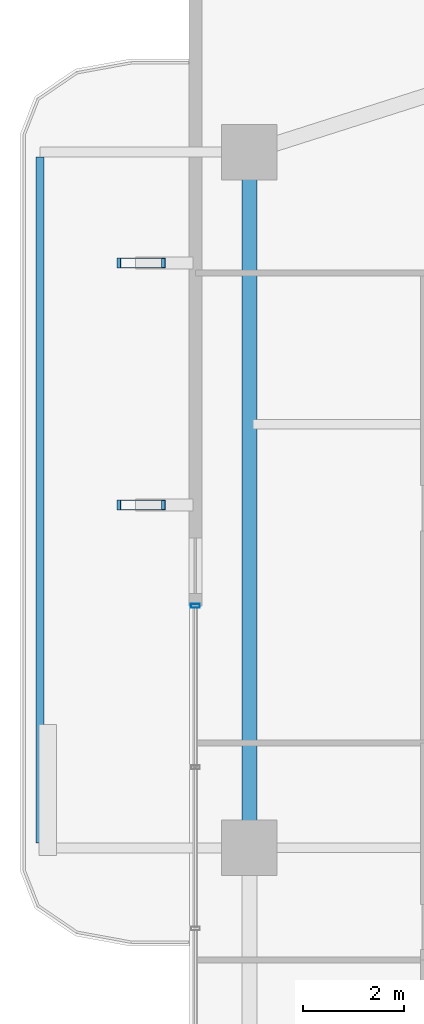
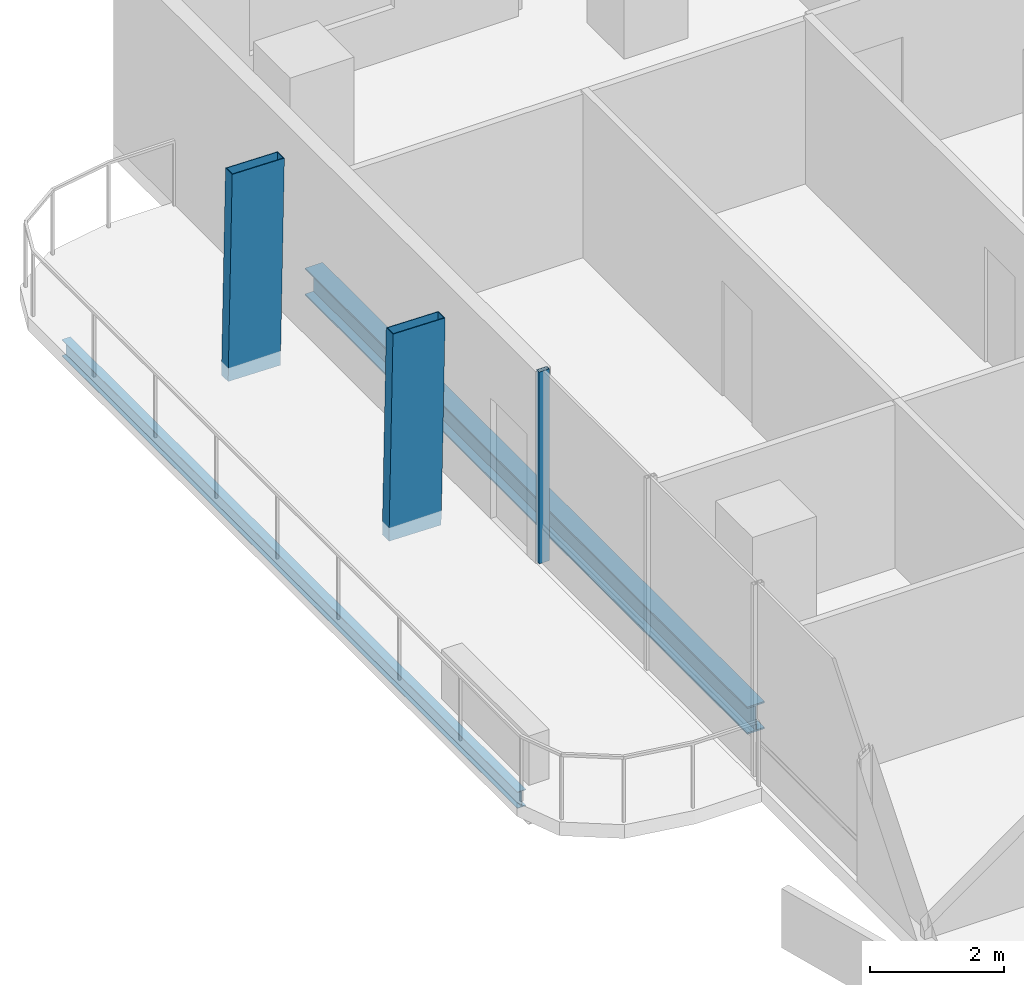
# One storey, part 12 of 25: 3 members, 2 beams, 1 element without a shape of its own.
"""IFC4 building model written with IfcOpenShell, lengths in metres."""

import ifcopenshell
import ifcopenshell.guid

model = None  # the IFC model being written
_history = None  # IfcOwnerHistory: only IFC2X3 demands one
_inside = {}  # id of a spatial element -> (the spatial element, [elements in it])
_under = {}  # id of a project, library or spatial element -> (it, [spatial elements below it])
_declared = {}  # id of a project -> (the project, [libraries it declares])
_typed = {}  # id of a type object -> (the type object, [elements of that type])
_made_of = {}  # id of a material, layer set ... -> (it, [elements and type objects made of it])


def new_model(schema):
    """Start an empty IFC model of exactly this schema.

    Asked for "IFC4X3", IfcOpenShell would pick the latest addendum, in which some entities
    have other attributes; the version numbers below select the first issue.
    IFC2X3 requires an IfcOwnerHistory on every rooted entity: one is made here for all.
    """
    global model, _history
    if schema == "IFC4X3":
        model = ifcopenshell.file(schema_version=(4, 3, 0, 0))
    else:
        model = ifcopenshell.file(schema=schema)
    _inside.clear()
    _under.clear()
    _declared.clear()
    _typed.clear()
    _made_of.clear()
    _history = None
    if model.schema == "IFC2X3":
        org = make("IfcOrganization", Name="unknown")
        user = make(
            "IfcPersonAndOrganization",
            ThePerson=make("IfcPerson", FamilyName="unknown"),
            TheOrganization=org,
        )
        app = make(
            "IfcApplication",
            ApplicationDeveloper=org,
            Version="unknown",
            ApplicationFullName="unknown",
            ApplicationIdentifier="unknown",
        )
        _history = make(
            "IfcOwnerHistory",
            OwningUser=user,
            OwningApplication=app,
            ChangeAction="ADDED",
            CreationDate=0,
        )
    return model


def make(cls, **values):
    """One entity of the class cls with the attributes given. An attribute that is None is left unset."""
    return model.create_entity(
        cls, **{name: value for name, value in values.items() if value is not None}
    )


def rooted(cls, **values):
    """An entity with a GlobalId (a new one), such as an element, a storey or a relation."""
    return make(cls, GlobalId=ifcopenshell.guid.new(), OwnerHistory=_history, **values)


def si_unit(unit_type, name, prefix=None):
    """IfcSIUnit, for example si_unit("LENGTHUNIT", "METRE", prefix="MILLI")."""
    return make("IfcSIUnit", UnitType=unit_type, Prefix=prefix, Name=name)


def assignment(units):
    """IfcUnitAssignment: the units of a project."""
    return None if units is None else make("IfcUnitAssignment", Units=units)


def point(xyz):
    """IfcCartesianPoint."""
    return None if xyz is None else make("IfcCartesianPoint", Coordinates=xyz)


def direction(xyz):
    """IfcDirection."""
    return None if xyz is None else make("IfcDirection", DirectionRatios=xyz)


def frame(location, z_axis=None, x_axis=None):
    """IfcAxis2Placement3D, a coordinate frame: its origin and axes. An axis left out is left unset."""
    return make(
        "IfcAxis2Placement3D",
        Location=point(location),
        Axis=direction(z_axis),
        RefDirection=direction(x_axis),
    )


def frame_2d(location, x_axis=None):
    """IfcAxis2Placement2D, a coordinate frame in the plane: its origin and x axis."""
    return make(
        "IfcAxis2Placement2D", Location=point(location), RefDirection=direction(x_axis)
    )


def origin():
    """The frame at (0, 0, 0) with its axes left unset."""
    return frame((0.0, 0.0, 0.0))


def origin_2d():
    """The frame at (0, 0) in the plane with its x axis left unset."""
    return frame_2d((0.0, 0.0))


def place(relative_to, where):
    """IfcLocalPlacement: puts the frame where relative to a parent placement (None: the world)."""
    return make(
        "IfcLocalPlacement", PlacementRelTo=relative_to, RelativePlacement=where
    )


def context(
    kind, dimensions, precision=None, world=None, true_north=None, identifier=None
):
    """IfcGeometricRepresentationContext, for example the 3D "Model" context."""
    return make(
        "IfcGeometricRepresentationContext",
        ContextIdentifier=identifier,
        ContextType=kind,
        CoordinateSpaceDimension=dimensions,
        Precision=precision,
        WorldCoordinateSystem=world,
        TrueNorth=true_north,
    )


def subcontext(parent, identifier, kind, view, scale=None):
    """IfcGeometricRepresentationSubContext, for example "Body" below "Model"."""
    return make(
        "IfcGeometricRepresentationSubContext",
        ContextIdentifier=identifier,
        ContextType=kind,
        ParentContext=parent,
        TargetScale=scale,
        TargetView=view,
    )


def project(units=None, contexts=None):
    """IfcProject with its units and contexts."""
    return rooted(
        "IfcProject",
        Name="project",
        RepresentationContexts=contexts,
        UnitsInContext=assignment(units),
    )


def spatial(cls, under=None, at=None, **own):
    """A site, building, storey or space (cls), placed at a placement, below another one or the project."""
    s = rooted(cls, ObjectPlacement=at, **own)
    if under is not None:
        _under.setdefault(under.id(), (under, []))[1].append(s)
    return s


def profile(cls, at=None, kind="AREA", **sizes):
    """A parametric profile (cls). Its sizes go by their IFC names, for example OverallWidth=200.0."""
    return make(cls, ProfileType=kind, Position=at, **sizes)


def hollow_rectangle(**sizes):
    """IfcRectangleHollowProfileDef."""
    return profile("IfcRectangleHollowProfileDef", **sizes)


def i_section(**sizes):
    """IfcIShapeProfileDef."""
    return profile("IfcIShapeProfileDef", **sizes)


def extrude(swept, where, along, depth):
    """IfcExtrudedAreaSolid: the profile swept, set in the frame where, extruded along a direction by depth."""
    return make(
        "IfcExtrudedAreaSolid",
        SweptArea=swept,
        Position=where,
        ExtrudedDirection=direction(along),
        Depth=depth,
    )


def shape(context_of_items, identifier, shape_type, items):
    """IfcShapeRepresentation: the items that make up one representation, for example the "Body"."""
    return make(
        "IfcShapeRepresentation",
        ContextOfItems=context_of_items,
        RepresentationIdentifier=identifier,
        RepresentationType=shape_type,
        Items=items,
    )


def material(Name=None, Category=None):
    """IfcMaterial."""
    return make("IfcMaterial", Name=Name, Category=Category)


def layer(
    of_material, thickness, ventilated=None, Name=None, Category=None, Priority=None
):
    """IfcMaterialLayer: one layer of a wall or slab, of a material (None: an air gap)."""
    return make(
        "IfcMaterialLayer",
        Material=of_material,
        LayerThickness=thickness,
        IsVentilated=ventilated,
        Name=Name,
        Category=Category,
        Priority=Priority,
    )


def layer_set(layers, Name=None):
    """IfcMaterialLayerSet."""
    return make("IfcMaterialLayerSet", MaterialLayers=layers, LayerSetName=Name)


def material_profile(
    of_material, cross_section, Name=None, Category=None, Priority=None
):
    """IfcMaterialProfile: a cross section and its material."""
    return make(
        "IfcMaterialProfile",
        Name=Name,
        Material=of_material,
        Profile=cross_section,
        Priority=Priority,
        Category=Category,
    )


def profile_set(profiles, Name=None, composite=None):
    """IfcMaterialProfileSet."""
    return make(
        "IfcMaterialProfileSet",
        Name=Name,
        MaterialProfiles=profiles,
        CompositeProfile=composite,
    )


def made_of(thing, what):
    """Note that an element or type object is made of a material, layer set ...; save() writes the relation."""
    if what is not None:
        _made_of.setdefault(what.id(), (what, []))[1].append(thing)
    return thing


def type_object(cls, material=None, **own):
    """A type object (cls), such as IfcWallType, which elements share."""
    return made_of(rooted(cls, **own), material)


def element(
    cls,
    number,
    at=None,
    inside=None,
    cuts=None,
    type_object=None,
    material=None,
    context=None,
    identifier="Body",
    shape_type=None,
    held_by="IfcProductDefinitionShape",
    body=None,
    shapes=None,
    **own,
):
    """One element of the class cls, such as IfcWall. Its Tag is "e" and its number.

    at: its placement. inside: the storey or other place that contains it. cuts: it is an
    opening in that element (IfcRelVoidsElement). A single representation is given by context,
    identifier, shape_type and body (its items); several are given by shapes. held_by: the class
    of the entity that holds the representations. save() writes the other relations.
    """
    e = rooted(cls, Tag="e%d" % number, ObjectPlacement=at, **own)
    if body is not None:
        shapes = [shape(context, identifier, shape_type, body)]
    if shapes is not None:
        e.Representation = make(held_by, Representations=shapes)
    if inside is not None:
        _inside.setdefault(inside.id(), (inside, []))[1].append(e)
    if cuts is not None:
        rooted(
            "IfcRelVoidsElement", RelatingBuildingElement=cuts, RelatedOpeningElement=e
        )
    if type_object is not None:
        _typed.setdefault(type_object.id(), (type_object, []))[1].append(e)
    return made_of(e, material)


def aggregate(whole, parts):
    """IfcRelAggregates: a whole, such as a stair, and the parts it consists of."""
    return rooted("IfcRelAggregates", RelatingObject=whole, RelatedObjects=parts)


def save(model, path):
    """Write the relations noted so far, then the file.

    IfcRelAggregates (storeys below a building ...), IfcRelContainedInSpatialStructure (elements
    in a storey), IfcRelDefinesByType, IfcRelAssociatesMaterial and IfcRelDeclares: one each for
    every whole, place, type object, material and project.
    """
    for whole, parts in _under.values():
        aggregate(whole, parts)
    for where, things in _inside.values():
        rooted(
            "IfcRelContainedInSpatialStructure",
            RelatedElements=things,
            RelatingStructure=where,
        )
    for kind, things in _typed.values():
        rooted("IfcRelDefinesByType", RelatedObjects=things, RelatingType=kind)
    for what, things in _made_of.values():
        rooted("IfcRelAssociatesMaterial", RelatedObjects=things, RelatingMaterial=what)
    for by, libraries in _declared.values():
        rooted("IfcRelDeclares", RelatingContext=by, RelatedDefinitions=libraries)
    model.write(path)


model = new_model("IFC4")

# Units and contexts
model_context = context("Model", 3, precision=1e-05, world=origin(), true_north=direction((0.0, 1.0)))
body_context = subcontext(model_context, "Body", "Model", "MODEL_VIEW")
ifc_project = project(units=[si_unit("LENGTHUNIT", "METRE"), si_unit("AREAUNIT", "SQUARE_METRE"), si_unit("VOLUMEUNIT", "CUBIC_METRE"), si_unit("PLANEANGLEUNIT", "RADIAN"), si_unit("MASSUNIT", "GRAM", prefix="KILO")], contexts=[model_context])

# Site, building, storey
site_placement = place(None, origin())
site = spatial("IfcSite", under=ifc_project, at=site_placement, CompositionType="ELEMENT")
building_placement = place(site_placement, origin())
building = spatial("IfcBuilding", under=site, at=building_placement, Name="Belovzor Exchange Tower", CompositionType="ELEMENT")
storey_placement = place(building_placement, frame((0.0, 0.0, 172.050048828125)))
storey = spatial("IfcBuildingStorey", under=building, at=storey_placement, Name="L42", CompositionType="ELEMENT", Elevation=172.050048828125)

# Beam
ifc_material_1 = material(Name="Steel S355", Category="steel")
ifc_material_profile_1 = material_profile(ifc_material_1, i_section(OverallWidth=0.14990234375, OverallDepth=0.300048828125, WebThickness=0.007080078125, FlangeThickness=0.0107421875, at=origin_2d()))
ifc_profile_set_1 = profile_set([ifc_material_profile_1], Name="Steel S355")
beam_type_1 = type_object("IfcBeamType", Name="Planted Balcony Fascia Edge Beam IPE 300", PredefinedType="BEAM", material=ifc_profile_set_1)
beam_1_placement = place(storey_placement, frame((1.547119140625, 42.5, -0.405029296875), z_axis=(0.0, -1.0, 0.0), x_axis=(1.0, 0.0, 0.0)))
element("IfcBeam", 1, at=beam_1_placement, inside=storey, type_object=beam_type_1, Name="BC-300 Planted Balcony Fascia Edge Beam IPE 300", PredefinedType="BEAM", context=body_context, shape_type="SweptSolid", body=[
    extrude(i_section(OverallWidth=0.14990234375, OverallDepth=0.300048828125, WebThickness=0.007080078125, FlangeThickness=0.0107421875, at=origin_2d()), origin(), (0.0, 0.0, 1.0), 13.60009765625),
])

# Members
ifc_material_2 = material(Name="Extruded Architectural Terracotta on Steel S355 Carrier", Category="masonry")
ifc_material_profile_2 = material_profile(ifc_material_2, hollow_rectangle(XDim=0.199951171875, YDim=0.89990234375, WallThickness=0.011962890625, at=origin_2d()))
ifc_profile_set_2 = profile_set([ifc_material_profile_2], Name="Extruded Architectural Terracotta on Steel S355 Carrier")
member_type_1 = type_object("IfcMemberType", Name="Sweeping Terracotta Baguette Fin Assembly 1250", PredefinedType="USERDEFINED", material=ifc_profile_set_2)
for number, where, z_axis, x_axis, name in (
    (2, (3.51904296875, 35.60009765625, -0.255126953125), (0.018681635002, 0.0, 0.999825483029), (0.0, 1.0, 0.0), "FIN-TC125 Terracotta Facade Fin L42 W3"),
    (3, (3.51904296875, 40.39990234375, -0.255126953125), (0.018681635002, 0.0, 0.999825483029), (0.0, 1.0, 0.0), "FIN-TC125 Terracotta Facade Fin L42 W4"),
):
    element("IfcMember", number, at=place(storey_placement, frame(where, z_axis=z_axis, x_axis=x_axis)), inside=storey, type_object=member_type_1, Name=name, ObjectType="FIN", PredefinedType="USERDEFINED", context=body_context, shape_type="SweptSolid", body=[
        extrude(hollow_rectangle(XDim=0.199951171875, YDim=0.89990234375, WallThickness=0.011962890625, at=origin_2d()), origin(), (0.0, 0.0, 1.0), 3.750732421875),
    ])

# Curtain wall, member
ifc_material_3 = material(Name="Anodised Aluminium Framing", Category="aluminium")
ifc_layer = layer(ifc_material_3, 0.179931640625)
ifc_layer_set = layer_set([ifc_layer], Name="Anodised Aluminium Framing")
curtain_wall_type = type_object("IfcCurtainWallType", Name="Recessed Loggia Low-Iron Triple-Glazed Curtain Wall", PredefinedType="NOTDEFINED", material=ifc_layer_set)
curtain_wall_placement = place(storey_placement, origin())
curtain_wall = element("IfcCurtainWall", 4, at=curtain_wall_placement, inside=storey, type_object=curtain_wall_type, Name="CW3 Recessed Loggia Low-Iron Triple-Glazed Curtain Wall L42", PredefinedType="NOTDEFINED")
ifc_material_4 = material(Name="Steel S355", Category="steel")
ifc_material_profile_3 = material_profile(ifc_material_4, hollow_rectangle(XDim=0.074951171875, YDim=0.179931640625, WallThickness=0.0048828125, at=origin_2d()))
ifc_profile_set_3 = profile_set([ifc_material_profile_3], Name="Steel S355")
member_type_2 = type_object("IfcMemberType", Name="Thermally Broken Curtain Wall Mullion 180x75", PredefinedType="MULLION", material=ifc_profile_set_3)
member_placement = place(storey_placement, frame((4.6298828125, 33.60009765625, 0.0), z_axis=(0.0, 0.0, 1.0), x_axis=(0.0, 1.0, 0.0)))
member = element("IfcMember", 5, at=member_placement, type_object=member_type_2, Name="CW-M180 Curtain Wall Mullion 4", PredefinedType="MULLION", context=body_context, shape_type="SweptSolid", body=[
    extrude(hollow_rectangle(XDim=0.074951171875, YDim=0.179931640625, WallThickness=0.0048828125, at=origin_2d()), origin(), (0.0, 0.0, 1.0), 3.494873046875),
])
aggregate(curtain_wall, [member])

# Beam
ifc_material_5 = material(Name="Steel S355", Category="steel")
ifc_material_profile_4 = material_profile(ifc_material_5, i_section(OverallWidth=0.300048828125, OverallDepth=0.5, WebThickness=0.014404296875, FlangeThickness=0.028076171875, at=origin_2d()))
ifc_profile_set_4 = profile_set([ifc_material_profile_4], Name="Steel S355")
beam_type_2 = type_object("IfcBeamType", Name="Zone 3 Waist Primary Girder HEB 500", PredefinedType="BEAM", material=ifc_profile_set_4)
beam_2_placement = place(storey_placement, frame((5.699951171875, 42.297119140625, -0.505126953125), z_axis=(0.0, -1.0, 0.0), x_axis=(1.0, 0.0, 0.0)))
element("IfcBeam", 6, at=beam_2_placement, inside=storey, type_object=beam_type_2, Name="FG-Z3 Zone 3 Waist Primary Girder HEB 500", PredefinedType="BEAM", context=body_context, shape_type="SweptSolid", body=[
    extrude(i_section(OverallWidth=0.300048828125, OverallDepth=0.5, WebThickness=0.014404296875, FlangeThickness=0.028076171875, at=origin_2d()), origin(), (0.0, 0.0, 1.0), 13.195068359375),
])

save(model, "model.ifc")
